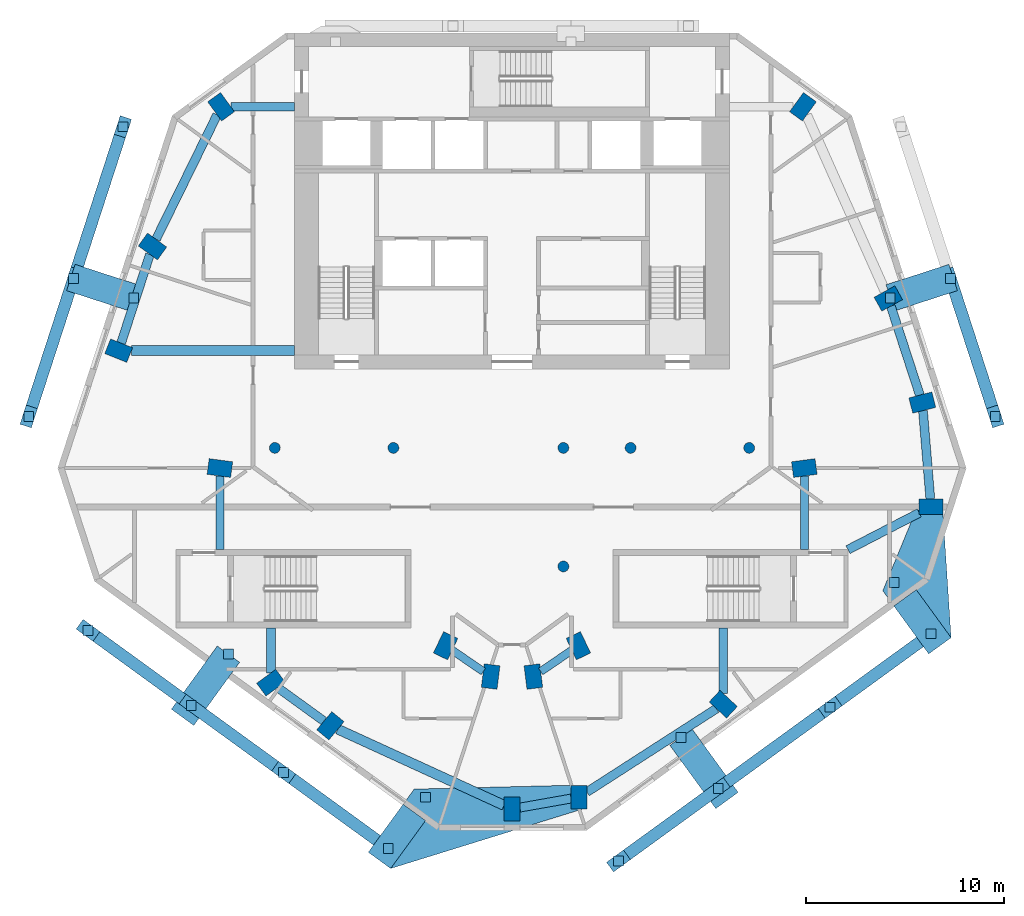
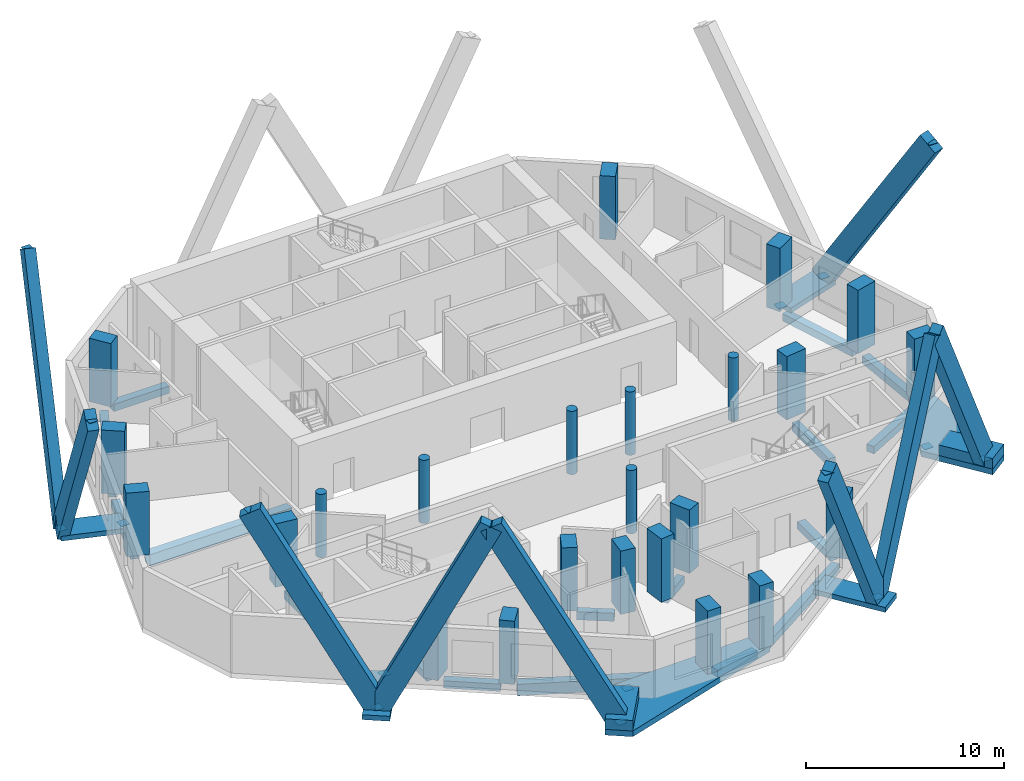
# One storey, part 1 of 8: 24 columns, 19 discrete accessories, 17 beams, 17 members.
"""IFC4 building model written with IfcOpenShell, lengths in metres."""

import ifcopenshell
import ifcopenshell.guid

model = None  # the IFC model being written
_history = None  # IfcOwnerHistory: only IFC2X3 demands one
_inside = {}  # id of a spatial element -> (the spatial element, [elements in it])
_under = {}  # id of a project, library or spatial element -> (it, [spatial elements below it])
_declared = {}  # id of a project -> (the project, [libraries it declares])
_typed = {}  # id of a type object -> (the type object, [elements of that type])
_made_of = {}  # id of a material, layer set ... -> (it, [elements and type objects made of it])


def new_model(schema):
    """Start an empty IFC model of exactly this schema.

    Asked for "IFC4X3", IfcOpenShell would pick the latest addendum, in which some entities
    have other attributes; the version numbers below select the first issue.
    IFC2X3 requires an IfcOwnerHistory on every rooted entity: one is made here for all.
    """
    global model, _history
    if schema == "IFC4X3":
        model = ifcopenshell.file(schema_version=(4, 3, 0, 0))
    else:
        model = ifcopenshell.file(schema=schema)
    _inside.clear()
    _under.clear()
    _declared.clear()
    _typed.clear()
    _made_of.clear()
    _history = None
    if model.schema == "IFC2X3":
        org = make("IfcOrganization", Name="unknown")
        user = make(
            "IfcPersonAndOrganization",
            ThePerson=make("IfcPerson", FamilyName="unknown"),
            TheOrganization=org,
        )
        app = make(
            "IfcApplication",
            ApplicationDeveloper=org,
            Version="unknown",
            ApplicationFullName="unknown",
            ApplicationIdentifier="unknown",
        )
        _history = make(
            "IfcOwnerHistory",
            OwningUser=user,
            OwningApplication=app,
            ChangeAction="ADDED",
            CreationDate=0,
        )
    return model


def make(cls, **values):
    """One entity of the class cls with the attributes given. An attribute that is None is left unset."""
    return model.create_entity(
        cls, **{name: value for name, value in values.items() if value is not None}
    )


def rooted(cls, **values):
    """An entity with a GlobalId (a new one), such as an element, a storey or a relation."""
    return make(cls, GlobalId=ifcopenshell.guid.new(), OwnerHistory=_history, **values)


def si_unit(unit_type, name, prefix=None):
    """IfcSIUnit, for example si_unit("LENGTHUNIT", "METRE", prefix="MILLI")."""
    return make("IfcSIUnit", UnitType=unit_type, Prefix=prefix, Name=name)


def assignment(units):
    """IfcUnitAssignment: the units of a project."""
    return None if units is None else make("IfcUnitAssignment", Units=units)


def point(xyz):
    """IfcCartesianPoint."""
    return None if xyz is None else make("IfcCartesianPoint", Coordinates=xyz)


def direction(xyz):
    """IfcDirection."""
    return None if xyz is None else make("IfcDirection", DirectionRatios=xyz)


def frame(location, z_axis=None, x_axis=None):
    """IfcAxis2Placement3D, a coordinate frame: its origin and axes. An axis left out is left unset."""
    return make(
        "IfcAxis2Placement3D",
        Location=point(location),
        Axis=direction(z_axis),
        RefDirection=direction(x_axis),
    )


def frame_2d(location, x_axis=None):
    """IfcAxis2Placement2D, a coordinate frame in the plane: its origin and x axis."""
    return make(
        "IfcAxis2Placement2D", Location=point(location), RefDirection=direction(x_axis)
    )


def origin():
    """The frame at (0, 0, 0) with its axes left unset."""
    return frame((0.0, 0.0, 0.0))


def origin_2d():
    """The frame at (0, 0) in the plane with its x axis left unset."""
    return frame_2d((0.0, 0.0))


def place(relative_to, where):
    """IfcLocalPlacement: puts the frame where relative to a parent placement (None: the world)."""
    return make(
        "IfcLocalPlacement", PlacementRelTo=relative_to, RelativePlacement=where
    )


def context(
    kind, dimensions, precision=None, world=None, true_north=None, identifier=None
):
    """IfcGeometricRepresentationContext, for example the 3D "Model" context."""
    return make(
        "IfcGeometricRepresentationContext",
        ContextIdentifier=identifier,
        ContextType=kind,
        CoordinateSpaceDimension=dimensions,
        Precision=precision,
        WorldCoordinateSystem=world,
        TrueNorth=true_north,
    )


def subcontext(parent, identifier, kind, view, scale=None):
    """IfcGeometricRepresentationSubContext, for example "Body" below "Model"."""
    return make(
        "IfcGeometricRepresentationSubContext",
        ContextIdentifier=identifier,
        ContextType=kind,
        ParentContext=parent,
        TargetScale=scale,
        TargetView=view,
    )


def project(units=None, contexts=None):
    """IfcProject with its units and contexts."""
    return rooted(
        "IfcProject",
        Name="project",
        RepresentationContexts=contexts,
        UnitsInContext=assignment(units),
    )


def spatial(cls, under=None, at=None, **own):
    """A site, building, storey or space (cls), placed at a placement, below another one or the project."""
    s = rooted(cls, ObjectPlacement=at, **own)
    if under is not None:
        _under.setdefault(under.id(), (under, []))[1].append(s)
    return s


def polyline(points):
    """IfcPolyline through the points."""
    return make("IfcPolyline", Points=[point(p) for p in points])


def profile(cls, at=None, kind="AREA", **sizes):
    """A parametric profile (cls). Its sizes go by their IFC names, for example OverallWidth=200.0."""
    return make(cls, ProfileType=kind, Position=at, **sizes)


def rectangle(**sizes):
    """IfcRectangleProfileDef."""
    return profile("IfcRectangleProfileDef", **sizes)


def circle(**sizes):
    """IfcCircleProfileDef."""
    return profile("IfcCircleProfileDef", **sizes)


def outline(outer, holes=None, kind="AREA"):
    """IfcArbitraryClosedProfileDef: a profile drawn as a closed curve; with holes, ...WithVoids."""
    if holes is None:
        return make("IfcArbitraryClosedProfileDef", ProfileType=kind, OuterCurve=outer)
    return make(
        "IfcArbitraryProfileDefWithVoids",
        ProfileType=kind,
        OuterCurve=outer,
        InnerCurves=holes,
    )


def extrude(swept, where, along, depth):
    """IfcExtrudedAreaSolid: the profile swept, set in the frame where, extruded along a direction by depth."""
    return make(
        "IfcExtrudedAreaSolid",
        SweptArea=swept,
        Position=where,
        ExtrudedDirection=direction(along),
        Depth=depth,
    )


def shape(context_of_items, identifier, shape_type, items):
    """IfcShapeRepresentation: the items that make up one representation, for example the "Body"."""
    return make(
        "IfcShapeRepresentation",
        ContextOfItems=context_of_items,
        RepresentationIdentifier=identifier,
        RepresentationType=shape_type,
        Items=items,
    )


def material(Name=None, Category=None):
    """IfcMaterial."""
    return make("IfcMaterial", Name=Name, Category=Category)


def layer(
    of_material, thickness, ventilated=None, Name=None, Category=None, Priority=None
):
    """IfcMaterialLayer: one layer of a wall or slab, of a material (None: an air gap)."""
    return make(
        "IfcMaterialLayer",
        Material=of_material,
        LayerThickness=thickness,
        IsVentilated=ventilated,
        Name=Name,
        Category=Category,
        Priority=Priority,
    )


def layer_set(layers, Name=None):
    """IfcMaterialLayerSet."""
    return make("IfcMaterialLayerSet", MaterialLayers=layers, LayerSetName=Name)


def material_profile(
    of_material, cross_section, Name=None, Category=None, Priority=None
):
    """IfcMaterialProfile: a cross section and its material."""
    return make(
        "IfcMaterialProfile",
        Name=Name,
        Material=of_material,
        Profile=cross_section,
        Priority=Priority,
        Category=Category,
    )


def profile_set(profiles, Name=None, composite=None):
    """IfcMaterialProfileSet."""
    return make(
        "IfcMaterialProfileSet",
        Name=Name,
        MaterialProfiles=profiles,
        CompositeProfile=composite,
    )


def made_of(thing, what):
    """Note that an element or type object is made of a material, layer set ...; save() writes the relation."""
    if what is not None:
        _made_of.setdefault(what.id(), (what, []))[1].append(thing)
    return thing


def type_object(cls, material=None, **own):
    """A type object (cls), such as IfcWallType, which elements share."""
    return made_of(rooted(cls, **own), material)


def element(
    cls,
    number,
    at=None,
    inside=None,
    cuts=None,
    type_object=None,
    material=None,
    context=None,
    identifier="Body",
    shape_type=None,
    held_by="IfcProductDefinitionShape",
    body=None,
    shapes=None,
    **own,
):
    """One element of the class cls, such as IfcWall. Its Tag is "e" and its number.

    at: its placement. inside: the storey or other place that contains it. cuts: it is an
    opening in that element (IfcRelVoidsElement). A single representation is given by context,
    identifier, shape_type and body (its items); several are given by shapes. held_by: the class
    of the entity that holds the representations. save() writes the other relations.
    """
    e = rooted(cls, Tag="e%d" % number, ObjectPlacement=at, **own)
    if body is not None:
        shapes = [shape(context, identifier, shape_type, body)]
    if shapes is not None:
        e.Representation = make(held_by, Representations=shapes)
    if inside is not None:
        _inside.setdefault(inside.id(), (inside, []))[1].append(e)
    if cuts is not None:
        rooted(
            "IfcRelVoidsElement", RelatingBuildingElement=cuts, RelatedOpeningElement=e
        )
    if type_object is not None:
        _typed.setdefault(type_object.id(), (type_object, []))[1].append(e)
    return made_of(e, material)


def aggregate(whole, parts):
    """IfcRelAggregates: a whole, such as a stair, and the parts it consists of."""
    return rooted("IfcRelAggregates", RelatingObject=whole, RelatedObjects=parts)


def save(model, path):
    """Write the relations noted so far, then the file.

    IfcRelAggregates (storeys below a building ...), IfcRelContainedInSpatialStructure (elements
    in a storey), IfcRelDefinesByType, IfcRelAssociatesMaterial and IfcRelDeclares: one each for
    every whole, place, type object, material and project.
    """
    for whole, parts in _under.values():
        aggregate(whole, parts)
    for where, things in _inside.values():
        rooted(
            "IfcRelContainedInSpatialStructure",
            RelatedElements=things,
            RelatingStructure=where,
        )
    for kind, things in _typed.values():
        rooted("IfcRelDefinesByType", RelatedObjects=things, RelatingType=kind)
    for what, things in _made_of.values():
        rooted("IfcRelAssociatesMaterial", RelatedObjects=things, RelatingMaterial=what)
    for by, libraries in _declared.values():
        rooted("IfcRelDeclares", RelatingContext=by, RelatedDefinitions=libraries)
    model.write(path)


model = new_model("IFC4")

# Units and contexts
model_context = context("Model", 3, precision=1e-05, world=origin(), true_north=direction((0.0, 1.0)))
body_context = subcontext(model_context, "Body", "Model", "MODEL_VIEW")
ifc_project = project(units=[si_unit("LENGTHUNIT", "METRE"), si_unit("AREAUNIT", "SQUARE_METRE"), si_unit("VOLUMEUNIT", "CUBIC_METRE"), si_unit("PLANEANGLEUNIT", "RADIAN"), si_unit("MASSUNIT", "GRAM", prefix="KILO")], contexts=[model_context])

# Site, building, storey
site_placement = place(None, origin())
site = spatial("IfcSite", under=ifc_project, at=site_placement, CompositionType="ELEMENT")
building_placement = place(site_placement, origin())
building = spatial("IfcBuilding", under=site, at=building_placement, Name="White Candle Pilgrim Tower", CompositionType="ELEMENT")
storey_placement = place(building_placement, frame((0.0, 0.0, 283.39990234375)))
storey = spatial("IfcBuildingStorey", under=building, at=storey_placement, Name="L67", CompositionType="ELEMENT", Elevation=283.39990234375)

# Columns
ifc_material_1 = material(Name="Concrete C60/75", Category="concrete")
ifc_material_profile_1 = material_profile(ifc_material_1, circle(Radius=0.27490234375, at=origin_2d()), Name="RC-COL D550")
ifc_profile_set_1 = profile_set([ifc_material_profile_1], Name="Concrete C60/75")
column_type_1 = type_object("IfcColumnType", Name="Interior column RC-COL D550 C60/75", PredefinedType="COLUMN", material=ifc_profile_set_1)
for number, where, z_axis, x_axis, name in (
    (1, (58.0, 67.0, 0.0), (0.0, 0.0, 1.0), (1.0, 0.0, 0.0), "L67 column I01"),
    (2, (64.0, 67.0, 0.0), (0.0, 0.0, 1.0), (1.0, 0.0, 0.0), "L67 column I02"),
    (3, (72.60009765625, 61.0, 0.0), (0.0, 0.0, 1.0), (1.0, 0.0, 0.0), "L67 column I03"),
    (4, (72.60009765625, 67.0, 0.0), (0.0, 0.0, 1.0), (1.0, 0.0, 0.0), "L67 column I04"),
    (5, (76.0, 67.0, 0.0), (0.0, 0.0, 1.0), (1.0, 0.0, 0.0), "L67 column I05"),
    (6, (82.0, 67.0, 0.0), (0.0, 0.0, 1.0), (1.0, 0.0, 0.0), "L67 column I06"),
):
    element("IfcColumn", number, at=place(storey_placement, frame(where, z_axis=z_axis, x_axis=x_axis)), inside=storey, type_object=column_type_1, Name=name, PredefinedType="COLUMN", context=body_context, shape_type="SweptSolid", body=[
        extrude(circle(Radius=0.27490234375, at=origin_2d()), origin(), (0.0, 0.0, 1.0), 3.900146484375),
    ])
ifc_material_profile_2 = material_profile(ifc_material_1, rectangle(XDim=0.800048828125, YDim=1.199951171875, at=origin_2d()), Name="RC-PR 800x1200")
ifc_profile_set_2 = profile_set([ifc_material_profile_2], Name="Concrete C60/75")
column_type_2 = type_object("IfcColumnType", Name="Perimeter column RC-PR 800x1200 C60/75", PredefinedType="COLUMN", material=ifc_profile_set_2)
for number, where, z_axis, x_axis, name in (
    (7, (57.800048828125, 55.1201171875, 0.0), (0.0, 0.0, 1.0), (-0.58846280644, 0.808524288711, 0.0), "L67 column T01"),
    (8, (60.81005859375, 52.93994140625, 0.0), (0.0, 0.0, 1.0), (-0.769310358735, 0.638875239733, 0.0), "L67 column T02"),
    (9, (70.0, 48.72998046875, 0.0), (0.0, 0.0, 1.0), (-1.0, 0.0, 0.0), "L67 column T03"),
    (10, (73.389892578125, 49.330078125, 0.0), (0.0, 0.0, 1.0), (-1.0, 0.0, 0.0), "L67 column T04"),
    (11, (80.68994140625, 54.030029296875, 0.0), (0.0, 0.0, 1.0), (-0.681998360062, -0.731353701619, 0.0), "L67 column T05"),
    (12, (91.199951171875, 64.02001953125, 0.0), (0.0, 0.0, 1.0), (0.000855211229, -0.999999634307, 0.0), "L67 column T06"),
    (13, (90.760009765625, 69.2900390625, 0.0), (0.0, 0.0, 1.0), (0.246880623275, -0.969045900797, 0.0), "L67 column T07"),
    (14, (89.0400390625, 74.56005859375, 0.0), (0.0, 0.0, 1.0), (0.484809620246, -0.874619707139, 0.0), "L67 column T08"),
    (15, (84.719970703125, 84.260009765625, 0.0), (0.0, 0.0, 1.0), (0.80902725304, -0.587771132193, 0.0), "L67 column T09"),
    (16, (55.280029296875, 84.260009765625, 0.0), (0.0, 0.0, 1.0), (0.80902725304, 0.587771132193, 0.0), "L67 column T10"),
    (17, (51.81005859375, 77.18994140625, 0.0), (0.0, 0.0, 1.0), (0.587107285614, 0.809509132239, 0.0), "L67 column T11"),
    (18, (50.10009765625, 71.919921875, 0.0), (0.0, 0.0, 1.0), (0.369860269472, 0.929087391512, 0.0), "L67 column T12"),
):
    element("IfcColumn", number, at=place(storey_placement, frame(where, z_axis=z_axis, x_axis=x_axis)), inside=storey, type_object=column_type_2, Name=name, PredefinedType="COLUMN", context=body_context, shape_type="SweptSolid", body=[
        extrude(rectangle(XDim=0.800048828125, YDim=1.199951171875, at=origin_2d()), origin(), (0.0, 0.0, 1.0), 3.900146484375),
    ])
ifc_material_profile_3 = material_profile(ifc_material_1, rectangle(XDim=0.800048828125, YDim=1.199951171875, at=origin_2d()), Name="RC-PR 800x1200")
ifc_profile_set_3 = profile_set([ifc_material_profile_3], Name="Concrete C60/75")
column_type_3 = type_object("IfcColumnType", Name="Ring column RC-PR 800x1200 C60/75", PredefinedType="COLUMN", material=ifc_profile_set_3)
for number, where, z_axis, x_axis, name in (
    (19, (66.639892578125, 56.989990234375, 0.0), (0.0, 0.0, 1.0), (-0.901689191761, 0.43238478403, 0.0), "L67 column R01"),
    (20, (68.919921875, 55.429931640625, 0.0), (0.0, 0.0, 1.0), (-0.992092811428, 0.125506388335, 0.0), "L67 column R02"),
    (21, (71.080078125, 55.429931640625, 0.0), (0.0, 0.0, 1.0), (-0.992092811428, -0.125506388335, 0.0), "L67 column R03"),
    (22, (73.360107421875, 56.989990234375, 0.0), (0.0, 0.0, 1.0), (-0.901689191761, -0.43238478403, 0.0), "L67 column R04"),
    (23, (84.7900390625, 65.97998046875, 0.0), (0.0, 0.0, 1.0), (0.132602381688, -0.991169313675, 0.0), "L67 column R05"),
    (24, (55.219970703125, 65.97998046875, 0.0), (0.0, 0.0, 1.0), (0.132602381688, 0.991169313675, 0.0), "L67 column R06"),
):
    element("IfcColumn", number, at=place(storey_placement, frame(where, z_axis=z_axis, x_axis=x_axis)), inside=storey, type_object=column_type_3, Name=name, PredefinedType="COLUMN", context=body_context, shape_type="SweptSolid", body=[
        extrude(rectangle(XDim=0.800048828125, YDim=1.199951171875, at=origin_2d()), origin(), (0.0, 0.0, 1.0), 3.900146484375),
    ])

# Member
ifc_material_2 = material(Name="Concrete C60/75, white", Category="concrete")
ifc_material_profile_4 = material_profile(ifc_material_2, rectangle(XDim=0.60009765625, YDim=1.199951171875, at=origin_2d()), Name="RC-DG 600x1200")
ifc_profile_set_4 = profile_set([ifc_material_profile_4], Name="Concrete C60/75, white")
member_type_1 = type_object("IfcMemberType", Name="Exoskeleton diagonal RC-DG 600x1200 C60/75", PredefinedType="BRACE", material=ifc_profile_set_4)
member_1_placement = place(storey_placement, frame((92.180908203125, 75.57763671875, 0.0), z_axis=(0.164325975108, -0.505754318485, 0.846882248745), x_axis=(0.951058486182, 0.309010931621, 0.0)))
member_1 = element("IfcMember", 25, at=member_1_placement, inside=storey, type_object=member_type_1, Name="Exoskeleton diagonal EX259", PredefinedType="BRACE", context=body_context, shape_type="SweptSolid", body=[
    extrude(rectangle(XDim=0.60009765625, YDim=1.199951171875, at=origin_2d()), origin(), (0.0, 0.0, 1.0), 13.815673828125),
])

member_2_placement = place(storey_placement, frame((80.4365234375, 49.767578125, 0.0), z_axis=(-0.380668838591, -0.276585600644, 0.882378400031), x_axis=(0.587804030698, -0.809003350731, 0.0)))
member_2 = element("IfcMember", 26, at=member_2_placement, inside=storey, type_object=member_type_1, Name="Exoskeleton diagonal EX270", PredefinedType="BRACE", context=body_context, shape_type="SweptSolid", body=[
    extrude(rectangle(XDim=0.60009765625, YDim=1.199951171875, at=origin_2d()), origin(), (0.0, 0.0, 1.0), 13.259765625),
])

member_3_placement = place(storey_placement, frame((80.4365234375, 49.767578125, 0.0), z_axis=(0.415185494311, 0.301642120549, 0.858273287726), x_axis=(-0.587775306847, 0.80902422007, 0.0)))
member_3 = element("IfcMember", 27, at=member_3_placement, inside=storey, type_object=member_type_1, Name="Exoskeleton diagonal EX271", PredefinedType="BRACE", context=body_context, shape_type="SweptSolid", body=[
    extrude(rectangle(XDim=0.60009765625, YDim=1.199951171875, at=origin_2d()), origin(), (0.0, 0.0, 1.0), 13.63232421875),
])

member_4_placement = place(storey_placement, frame((91.209228515625, 57.59423828125, 0.0), z_axis=(-0.384481961926, -0.279337840259, 0.879854528858), x_axis=(0.587778839539, -0.809021653475, 0.0)))
member_4 = element("IfcMember", 28, at=member_4_placement, inside=storey, type_object=member_type_1, Name="Exoskeleton diagonal EX272", PredefinedType="BRACE", context=body_context, shape_type="SweptSolid", body=[
    extrude(rectangle(XDim=0.60009765625, YDim=1.199951171875, at=origin_2d()), origin(), (0.0, 0.0, 1.0), 13.2978515625),
])

member_5_placement = place(storey_placement, frame((53.772705078125, 53.974853515625, 0.0), z_axis=(-0.39084656182, 0.283949762249, 0.875563531466), x_axis=(-0.587762373751, -0.809033616114, 0.0)))
member_5 = element("IfcMember", 29, at=member_5_placement, inside=storey, type_object=member_type_1, Name="Exoskeleton diagonal EX282", PredefinedType="BRACE", context=body_context, shape_type="SweptSolid", body=[
    extrude(rectangle(XDim=0.60009765625, YDim=1.199951171875, at=origin_2d()), origin(), (0.0, 0.0, 1.0), 13.363037109375),
])

member_6_placement = place(storey_placement, frame((53.772705078125, 53.974853515625, 0.0), z_axis=(0.358285228035, -0.260327865287, 0.89658301229), x_axis=(0.587812459316, 0.808997226616, 0.0)))
member_6 = element("IfcMember", 30, at=member_6_placement, inside=storey, type_object=member_type_1, Name="Exoskeleton diagonal EX283", PredefinedType="BRACE", context=body_context, shape_type="SweptSolid", body=[
    extrude(rectangle(XDim=0.60009765625, YDim=1.199951171875, at=origin_2d()), origin(), (0.0, 0.0, 1.0), 13.0498046875),
])

member_7_placement = place(storey_placement, frame((63.736328125, 46.735595703125, 0.0), z_axis=(-0.394567688921, 0.286671824587, 0.873003782264), x_axis=(-0.587787424185, -0.809015416398, 0.0)))
member_7 = element("IfcMember", 31, at=member_7_placement, inside=storey, type_object=member_type_1, Name="Exoskeleton diagonal EX284", PredefinedType="BRACE", context=body_context, shape_type="SweptSolid", body=[
    extrude(rectangle(XDim=0.60009765625, YDim=1.199951171875, at=origin_2d()), origin(), (0.0, 0.0, 1.0), 13.40234375),
])

member_8_placement = place(storey_placement, frame((47.819091796875, 75.57763671875, 0.0), z_axis=(0.175355122133, 0.539673171292, 0.823409648552), x_axis=(-0.951054092785, 0.309024453071, 0.0)))
member_8 = element("IfcMember", 32, at=member_8_placement, inside=storey, type_object=member_type_1, Name="Exoskeleton diagonal EX291", PredefinedType="BRACE", context=body_context, shape_type="SweptSolid", body=[
    extrude(rectangle(XDim=0.60009765625, YDim=1.199951171875, at=origin_2d()), origin(), (0.0, 0.0, 1.0), 14.20947265625),
])

member_9_placement = place(storey_placement, frame((47.819091796875, 75.57763671875, 0.0), z_axis=(-0.164325975108, -0.505754318485, 0.846882248745), x_axis=(0.951058486182, -0.309010931621, 0.0)))
member_9 = element("IfcMember", 33, at=member_9_placement, inside=storey, type_object=member_type_1, Name="Exoskeleton diagonal EX292", PredefinedType="BRACE", context=body_context, shape_type="SweptSolid", body=[
    extrude(rectangle(XDim=0.60009765625, YDim=1.199951171875, at=origin_2d()), origin(), (0.0, 0.0, 1.0), 13.815673828125),
])

ifc_material_3 = material(Name="Concrete C70/85, white", Category="concrete")
ifc_layer_1 = layer(ifc_material_3, 0.300048828125)
ifc_layer_set_1 = layer_set([ifc_layer_1], Name="Node tie strut 3350x1400x300 C70/85")
member_type_2 = type_object("IfcMemberType", Name="Node tie strut 3350x1400x300 C70/85", PredefinedType="STRUT", material=ifc_layer_set_1)
member_10_placement = place(storey_placement, frame((90.730712890625, 75.106201171875, -0.2998046875), z_axis=(0.0, 0.0, 1.0), x_axis=(-0.309016994375, 0.951056516295, 0.0)))
member_10 = element("IfcMember", 34, at=member_10_placement, inside=storey, type_object=member_type_2, Name="Node tie strut NC231", PredefinedType="STRUT", context=body_context, shape_type="SweptSolid", body=[
    extrude(rectangle(XDim=1.39990234375, YDim=3.35009765625, at=origin_2d()), origin(), (0.0, 0.0, 1.0), 0.300048828125),
])

member_11_placement = place(storey_placement, frame((49.269287109375, 75.106201171875, -0.2998046875), z_axis=(0.0, 0.0, 1.0), x_axis=(-0.309016994375, -0.951056516295, 0.0)))
member_11 = element("IfcMember", 35, at=member_11_placement, inside=storey, type_object=member_type_2, Name="Node tie strut NC238", PredefinedType="STRUT", context=body_context, shape_type="SweptSolid", body=[
    extrude(rectangle(XDim=1.39990234375, YDim=3.35009765625, at=origin_2d()), origin(), (0.0, 0.0, 1.0), 0.300048828125),
])

ifc_layer_2 = layer(ifc_material_3, 0.300048828125)
ifc_layer_set_2 = layer_set([ifc_layer_2], Name="Node tie strut 3950x1400x300 C70/85")
member_type_3 = type_object("IfcMemberType", Name="Node tie strut 3950x1400x300 C70/85", PredefinedType="STRUT", material=ifc_layer_set_2)
member_12_placement = place(storey_placement, frame((79.716552734375, 50.758544921875, -0.2998046875), z_axis=(0.0, 0.0, 1.0), x_axis=(0.809016994375, 0.587785252292, 0.0)))
member_12 = element("IfcMember", 36, at=member_12_placement, inside=storey, type_object=member_type_3, Name="Node tie strut NC234", PredefinedType="STRUT", context=body_context, shape_type="SweptSolid", body=[
    extrude(rectangle(XDim=1.39990234375, YDim=3.949951171875, at=origin_2d()), origin(), (0.0, 0.0, 1.0), 0.300048828125),
])

member_13_placement = place(storey_placement, frame((0.0, 0.0, -0.349853515625)))
member_13 = element("IfcMember", 37, at=member_13_placement, inside=storey, type_object=member_type_3, Name="Node tie strut NC235", PredefinedType="STRUT", context=body_context, shape_type="SweptSolid", body=[
    extrude(outline(polyline([(91.083740234375, 56.576171875), (92.21630859375, 57.39892578125), (91.80029296875, 63.771484375), (91.80029296875, 63.62060546875), (90.600341796875, 63.619384765625), (90.599853515625, 64.22900390625), (88.761962890625, 59.771728515625), (91.083740234375, 56.576171875)])), origin(), (0.0, 0.0, 1.0), 0.349853515625),
])

member_14_placement = place(storey_placement, origin())
element("IfcMember", 38, at=member_14_placement, inside=storey, type_object=member_type_3, Name="Node tie strut NC235", PredefinedType="STRUT", context=body_context, shape_type="SweptSolid", body=[
    extrude(outline(polyline([(91.083740234375, 56.576171875), (92.21630859375, 57.39892578125), (90.453125, 59.826171875), (89.3203125, 59.003173828125), (91.083740234375, 56.576171875)])), origin(), (0.0, 0.0, 1.0), 0.650146484375),
])

member_15_placement = place(storey_placement, frame((54.49267578125, 54.9658203125, -0.2998046875), z_axis=(0.0, 0.0, 1.0), x_axis=(0.809016994375, -0.587785252292, 0.0)))
member_15 = element("IfcMember", 39, at=member_15_placement, inside=storey, type_object=member_type_3, Name="Node tie strut NC236", PredefinedType="STRUT", context=body_context, shape_type="SweptSolid", body=[
    extrude(rectangle(XDim=1.39990234375, YDim=3.949951171875, at=origin_2d()), origin(), (0.0, 0.0, 1.0), 0.300048828125),
])

member_16_placement = place(storey_placement, frame((0.0, 0.0, -0.349853515625)))
member_16 = element("IfcMember", 40, at=member_16_placement, inside=storey, type_object=member_type_3, Name="Node tie strut NC237", PredefinedType="STRUT", context=body_context, shape_type="SweptSolid", body=[
    extrude(outline(polyline([(63.86181640625, 45.717529296875), (73.583251953125, 48.72998046875), (72.989990234375, 48.72998046875), (72.989990234375, 49.929931640625), (65.05078125, 49.736083984375), (62.72900390625, 46.540283203125), (63.86181640625, 45.717529296875)])), origin(), (0.0, 0.0, 1.0), 0.349853515625),
])

member_17_placement = place(storey_placement, origin())
element("IfcMember", 41, at=member_17_placement, inside=storey, type_object=member_type_3, Name="Node tie strut NC237", PredefinedType="STRUT", context=body_context, shape_type="SweptSolid", body=[
    extrude(outline(polyline([(63.86181640625, 45.717529296875), (65.625, 48.14453125), (64.492431640625, 48.967529296875), (62.72900390625, 46.540283203125), (63.86181640625, 45.717529296875)])), origin(), (0.0, 0.0, 1.0), 0.650146484375),
])

# Beams
ifc_material_4 = material(Name="Concrete C50/60", Category="concrete")
ifc_material_profile_5 = material_profile(ifc_material_4, rectangle(XDim=0.39990234375, YDim=0.5, at=origin_2d()), Name="RC-BM 400x500")
ifc_profile_set_5 = profile_set([ifc_material_profile_5], Name="Concrete C50/60")
beam_type_1 = type_object("IfcBeamType", Name="Ring beam RC-BM 400x500 C50/60", PredefinedType="BEAM", material=ifc_profile_set_5)
for number, where, z_axis, x_axis, name in (
    (42, (66.97412109375, 56.761474609375, -0.5498046875), (0.825257044892, -0.564757301729, 0.0), (0.564757301729, 0.825257044892, 0.0), "L67 ring beam R01"),
    (43, (71.451171875, 55.683837890625, -0.5498046875), (0.825257044892, 0.564757301729, 0.0), (-0.564757301729, 0.825257044892, 0.0), "L67 ring beam R02"),
):
    element("IfcBeam", number, at=place(storey_placement, frame(where, z_axis=z_axis, x_axis=x_axis)), inside=storey, type_object=beam_type_1, Name=name, PredefinedType="BEAM", context=body_context, shape_type="SweptSolid", body=[
        extrude(rectangle(XDim=0.39990234375, YDim=0.5, at=origin_2d()), origin(), (0.0, 0.0, 1.0), 1.908203125),
    ])
for number, where, z_axis, x_axis, name in (
    (44, (84.7900390625, 65.576416015625, -0.5498046875), (0.0, -1.0, 0.0), (1.0, 0.0, 0.0), "L67 ring beam R03"),
    (45, (55.219970703125, 65.576416015625, -0.5498046875), (0.0, -1.0, 0.0), (1.0, 0.0, 0.0), "L67 ring beam R04"),
):
    element("IfcBeam", number, at=place(storey_placement, frame(where, z_axis=z_axis, x_axis=x_axis)), inside=storey, type_object=beam_type_1, Name=name, PredefinedType="BEAM", context=body_context, shape_type="SweptSolid", body=[
        extrude(rectangle(XDim=0.39990234375, YDim=0.5, at=origin_2d()), origin(), (0.0, 0.0, 1.0), 3.726318359375),
    ])
ifc_material_profile_6 = material_profile(ifc_material_4, rectangle(XDim=0.449951171875, YDim=0.449951171875, at=origin_2d()), Name="RC-BM 450x450")
ifc_profile_set_6 = profile_set([ifc_material_profile_6], Name="Concrete C50/60")
beam_type_2 = type_object("IfcBeamType", Name="Spandrel beam RC-BM 450x450 C50/60", PredefinedType="BEAM", material=ifc_profile_set_6)
beam_1_placement = place(storey_placement, frame((58.140625, 54.873291015625, -0.52490234375), z_axis=(0.809886863982, -0.586586112647, 0.0), x_axis=(0.586586112647, 0.809886863982, 0.0)))
element("IfcBeam", 46, at=beam_1_placement, inside=storey, type_object=beam_type_2, Name="L67 spandrel beam T01", PredefinedType="BEAM", context=body_context, shape_type="SweptSolid", body=[
    extrude(rectangle(XDim=0.449951171875, YDim=0.449951171875, at=origin_2d()), origin(), (0.0, 0.0, 1.0), 2.89501953125),
])
beam_2_placement = place(storey_placement, frame((70.39990234375, 48.80078125, -0.52490234375), z_axis=(0.984690914207, 0.174309504843, 0.0), x_axis=(-0.174309504843, 0.984690914207, 0.0)))
element("IfcBeam", 47, at=beam_2_placement, inside=storey, type_object=beam_type_2, Name="L67 spandrel beam T03", PredefinedType="BEAM", context=body_context, shape_type="SweptSolid", body=[
    extrude(rectangle(XDim=0.449951171875, YDim=0.449951171875, at=origin_2d()), origin(), (0.0, 0.0, 1.0), 2.63037109375),
])
beam_3_placement = place(storey_placement, frame((73.7900390625, 49.58740234375, -0.52490234375), z_axis=(0.840792523654, 0.541357490175, 0.0), x_axis=(-0.541357490175, 0.840792523654, 0.0)))
element("IfcBeam", 48, at=beam_3_placement, inside=storey, type_object=beam_type_2, Name="L67 spandrel beam T04", PredefinedType="BEAM", context=body_context, shape_type="SweptSolid", body=[
    extrude(rectangle(XDim=0.449951171875, YDim=0.449951171875, at=origin_2d()), origin(), (0.0, 0.0, 1.0), 7.793701171875),
])
beam_4_placement = place(storey_placement, frame((80.68994140625, 54.576904296875, -0.52490234375), z_axis=(0.0, 1.0, 0.0), x_axis=(-1.0, 0.0, 0.0)))
element("IfcBeam", 49, at=beam_4_placement, inside=storey, type_object=beam_type_2, Name="L67 spandrel beam T05", PredefinedType="BEAM", context=body_context, shape_type="SweptSolid", body=[
    extrude(rectangle(XDim=0.449951171875, YDim=0.449951171875, at=origin_2d()), origin(), (0.0, 0.0, 1.0), 3.322998046875),
])
beam_5_placement = place(storey_placement, frame((90.600341796875, 63.710205078125, -0.52490234375), z_axis=(-0.888432867753, -0.459006578925, 0.0), x_axis=(0.459006578925, -0.888432867753, 0.0)))
element("IfcBeam", 50, at=beam_5_placement, inside=storey, type_object=beam_type_2, Name="L67 spandrel beam T06", PredefinedType="BEAM", context=body_context, shape_type="SweptSolid", body=[
    extrude(rectangle(XDim=0.449951171875, YDim=0.449951171875, at=origin_2d()), origin(), (0.0, 0.0, 1.0), 4.052490234375),
])
beam_6_placement = place(storey_placement, frame((91.16650390625, 64.419921875, -0.52490234375), z_axis=(-0.083189754962, 0.996533724803, 0.0), x_axis=(-0.996533724803, -0.083189754962, 0.0)))
element("IfcBeam", 51, at=beam_6_placement, inside=storey, type_object=beam_type_2, Name="L67 spandrel beam T07", PredefinedType="BEAM", context=body_context, shape_type="SweptSolid", body=[
    extrude(rectangle(XDim=0.449951171875, YDim=0.449951171875, at=origin_2d()), origin(), (0.0, 0.0, 1.0), 4.4814453125),
])
beam_7_placement = place(storey_placement, frame((90.635498046875, 69.671142578125, -0.52490234375), z_axis=(-0.310235376741, 0.950659776691, 0.0), x_axis=(-0.950659776691, -0.310235376741, 0.0)))
element("IfcBeam", 52, at=beam_7_placement, inside=storey, type_object=beam_type_2, Name="L67 spandrel beam T08", PredefinedType="BEAM", context=body_context, shape_type="SweptSolid", body=[
    extrude(rectangle(XDim=0.449951171875, YDim=0.449951171875, at=origin_2d()), origin(), (0.0, 0.0, 1.0), 4.735107421875),
])
beam_8_placement = place(storey_placement, frame((55.7744140625, 84.260009765625, -0.52490234375), z_axis=(1.0, 0.0, 0.0), x_axis=(0.0, 1.0, 0.0)))
element("IfcBeam", 53, at=beam_8_placement, inside=storey, type_object=beam_type_2, Name="L67 spandrel beam T11", PredefinedType="BEAM", context=body_context, shape_type="SweptSolid", body=[
    extrude(rectangle(XDim=0.449951171875, YDim=0.449951171875, at=origin_2d()), origin(), (0.0, 0.0, 1.0), 3.2255859375),
])
beam_9_placement = place(storey_placement, frame((55.080810546875, 83.853759765625, -0.52490234375), z_axis=(-0.440604884501, -0.897701139441, 0.0), x_axis=(0.897701139441, -0.440604884501, 0.0)))
element("IfcBeam", 54, at=beam_9_placement, inside=storey, type_object=beam_type_2, Name="L67 spandrel beam T12", PredefinedType="BEAM", context=body_context, shape_type="SweptSolid", body=[
    extrude(rectangle(XDim=0.449951171875, YDim=0.449951171875, at=origin_2d()), origin(), (0.0, 0.0, 1.0), 7.01708984375),
])
beam_10_placement = place(storey_placement, frame((51.68017578125, 76.7900390625, -0.52490234375), z_axis=(-0.308643859688, -0.95117767419, 0.0), x_axis=(0.95117767419, -0.308643859688, 0.0)))
element("IfcBeam", 55, at=beam_10_placement, inside=storey, type_object=beam_type_2, Name="L67 spandrel beam T13", PredefinedType="BEAM", context=body_context, shape_type="SweptSolid", body=[
    extrude(rectangle(XDim=0.449951171875, YDim=0.449951171875, at=origin_2d()), origin(), (0.0, 0.0, 1.0), 4.71923828125),
])
beam_11_placement = place(storey_placement, frame((57.800048828125, 55.61474609375, -0.52490234375), z_axis=(0.0, 1.0, 0.0), x_axis=(-1.0, 0.0, 0.0)))
element("IfcBeam", 56, at=beam_11_placement, inside=storey, type_object=beam_type_2, Name="L67 spandrel beam T15", PredefinedType="BEAM", context=body_context, shape_type="SweptSolid", body=[
    extrude(rectangle(XDim=0.449951171875, YDim=0.449951171875, at=origin_2d()), origin(), (0.0, 0.0, 1.0), 2.28515625),
])
ifc_material_profile_7 = material_profile(ifc_material_4, rectangle(XDim=0.5, YDim=0.699951171875, at=origin_2d()), Name="RC-BM 500x700")
ifc_profile_set_7 = profile_set([ifc_material_profile_7], Name="Concrete C50/60")
beam_type_3 = type_object("IfcBeamType", Name="Spandrel beam RC-BM 500x700 C50/60", PredefinedType="BEAM", material=ifc_profile_set_7)
beam_12_placement = place(storey_placement, frame((61.186767578125, 52.767578125, -0.64990234375), z_axis=(0.90913101106, -0.416510269656, 0.0), x_axis=(0.416510269656, 0.90913101106, 0.0)))
element("IfcBeam", 57, at=beam_12_placement, inside=storey, type_object=beam_type_3, Name="L67 spandrel beam T02", PredefinedType="BEAM", context=body_context, shape_type="SweptSolid", body=[
    extrude(rectangle(XDim=0.5, YDim=0.699951171875, at=origin_2d()), origin(), (0.0, 0.0, 1.0), 9.254150390625),
])
beam_13_placement = place(storey_placement, frame((50.745849609375, 71.919921875, -0.64990234375), z_axis=(1.0, 0.0, 0.0), x_axis=(0.0, 1.0, 0.0)))
element("IfcBeam", 58, at=beam_13_placement, inside=storey, type_object=beam_type_3, Name="L67 spandrel beam T14", PredefinedType="BEAM", context=body_context, shape_type="SweptSolid", body=[
    extrude(rectangle(XDim=0.5, YDim=0.699951171875, at=origin_2d()), origin(), (0.0, 0.0, 1.0), 8.254150390625),
])

# Discrete accessory
ifc_material_5 = material(Name="Steel S355", Category="steel")
ifc_layer_3 = layer(ifc_material_5, 0.02490234375)
ifc_layer_set_3 = layer_set([ifc_layer_3], Name="Gusset plate 500x500x25 S355")
discrete_accessory_type = type_object("IfcDiscreteAccessoryType", Name="Gusset plate 500x500x25 S355", PredefinedType="BRACKET", material=ifc_layer_set_3)
discrete_accessory_1_placement = place(storey_placement, frame((92.180908203125, 75.57763671875, -0.012451171875), z_axis=(0.0, 0.0, 1.0), x_axis=(1.0, 0.0, 0.0)))
discrete_accessory_1 = element("IfcDiscreteAccessory", 59, at=discrete_accessory_1_placement, type_object=discrete_accessory_type, Name="Gusset plate 0300", PredefinedType="BRACKET", context=body_context, shape_type="SweptSolid", body=[
    extrude(rectangle(XDim=0.5, YDim=0.5, at=origin_2d()), origin(), (0.0, 0.0, 1.0), 0.02490234375),
])

placement = place(building_placement, frame((0.0, 0.0, 295.10009765625)))
discrete_accessory_2_placement = place(placement, frame((94.451171875, 68.59033203125, -0.012451171875), z_axis=(0.0, 0.0, 1.0), x_axis=(1.0, 0.0, 0.0)))
discrete_accessory_2 = element("IfcDiscreteAccessory", 60, at=discrete_accessory_2_placement, type_object=discrete_accessory_type, Name="Gusset plate 0301", PredefinedType="BRACKET", context=body_context, shape_type="SweptSolid", body=[
    extrude(rectangle(XDim=0.5, YDim=0.5, at=origin_2d()), origin(), (0.0, 0.0, 1.0), 0.02490234375),
])

aggregate(member_1, [discrete_accessory_1, discrete_accessory_2])

discrete_accessory_3_placement = place(storey_placement, frame((80.4365234375, 49.767578125, -0.012451171875), z_axis=(0.0, 0.0, 1.0), x_axis=(1.0, 0.0, 0.0)))
discrete_accessory_3 = element("IfcDiscreteAccessory", 61, at=discrete_accessory_3_placement, type_object=discrete_accessory_type, Name="Gusset plate 0315", PredefinedType="BRACKET", context=body_context, shape_type="SweptSolid", body=[
    extrude(rectangle(XDim=0.5, YDim=0.5, at=origin_2d()), origin(), (0.0, 0.0, 1.0), 0.02490234375),
])

discrete_accessory_4_placement = place(placement, frame((75.388916015625, 46.10009765625, -0.012451171875), z_axis=(0.0, 0.0, 1.0), x_axis=(1.0, 0.0, 0.0)))
discrete_accessory_4 = element("IfcDiscreteAccessory", 62, at=discrete_accessory_4_placement, type_object=discrete_accessory_type, Name="Gusset plate 0316", PredefinedType="BRACKET", context=body_context, shape_type="SweptSolid", body=[
    extrude(rectangle(XDim=0.5, YDim=0.5, at=origin_2d()), origin(), (0.0, 0.0, 1.0), 0.02490234375),
])

aggregate(member_2, [discrete_accessory_3, discrete_accessory_4])

discrete_accessory_5_placement = place(placement, frame((86.096435546875, 53.879638671875, -0.012451171875), z_axis=(0.0, 0.0, 1.0), x_axis=(1.0, 0.0, 0.0)))
discrete_accessory_5 = element("IfcDiscreteAccessory", 63, at=discrete_accessory_5_placement, type_object=discrete_accessory_type, Name="Gusset plate 0317", PredefinedType="BRACKET", context=body_context, shape_type="SweptSolid", body=[
    extrude(rectangle(XDim=0.5, YDim=0.5, at=origin_2d()), origin(), (0.0, 0.0, 1.0), 0.02490234375),
])

aggregate(member_3, [discrete_accessory_5])

discrete_accessory_6_placement = place(storey_placement, frame((91.209228515625, 57.59423828125, -0.012451171875), z_axis=(0.0, 0.0, 1.0), x_axis=(1.0, 0.0, 0.0)))
discrete_accessory_6 = element("IfcDiscreteAccessory", 64, at=discrete_accessory_6_placement, type_object=discrete_accessory_type, Name="Gusset plate 0318", PredefinedType="BRACKET", context=body_context, shape_type="SweptSolid", body=[
    extrude(rectangle(XDim=0.5, YDim=0.5, at=origin_2d()), origin(), (0.0, 0.0, 1.0), 0.02490234375),
])

aggregate(member_4, [discrete_accessory_6])

discrete_accessory_7_placement = place(storey_placement, frame((53.772705078125, 53.974853515625, -0.012451171875), z_axis=(0.0, 0.0, 1.0), x_axis=(1.0, 0.0, 0.0)))
discrete_accessory_7 = element("IfcDiscreteAccessory", 65, at=discrete_accessory_7_placement, type_object=discrete_accessory_type, Name="Gusset plate 0332", PredefinedType="BRACKET", context=body_context, shape_type="SweptSolid", body=[
    extrude(rectangle(XDim=0.5, YDim=0.5, at=origin_2d()), origin(), (0.0, 0.0, 1.0), 0.02490234375),
])

discrete_accessory_8_placement = place(placement, frame((48.5498046875, 57.769287109375, -0.012451171875), z_axis=(0.0, 0.0, 1.0), x_axis=(1.0, 0.0, 0.0)))
discrete_accessory_8 = element("IfcDiscreteAccessory", 66, at=discrete_accessory_8_placement, type_object=discrete_accessory_type, Name="Gusset plate 0333", PredefinedType="BRACKET", context=body_context, shape_type="SweptSolid", body=[
    extrude(rectangle(XDim=0.5, YDim=0.5, at=origin_2d()), origin(), (0.0, 0.0, 1.0), 0.02490234375),
])

aggregate(member_5, [discrete_accessory_7, discrete_accessory_8])

discrete_accessory_9_placement = place(placement, frame((58.4482421875, 50.57763671875, -0.012451171875), z_axis=(0.0, 0.0, 1.0), x_axis=(1.0, 0.0, 0.0)))
discrete_accessory_9 = element("IfcDiscreteAccessory", 67, at=discrete_accessory_9_placement, type_object=discrete_accessory_type, Name="Gusset plate 0334", PredefinedType="BRACKET", context=body_context, shape_type="SweptSolid", body=[
    extrude(rectangle(XDim=0.5, YDim=0.5, at=origin_2d()), origin(), (0.0, 0.0, 1.0), 0.02490234375),
])

aggregate(member_6, [discrete_accessory_9])

discrete_accessory_10_placement = place(storey_placement, frame((63.736328125, 46.735595703125, -0.012451171875), z_axis=(0.0, 0.0, 1.0), x_axis=(1.0, 0.0, 0.0)))
discrete_accessory_10 = element("IfcDiscreteAccessory", 68, at=discrete_accessory_10_placement, type_object=discrete_accessory_type, Name="Gusset plate 0335", PredefinedType="BRACKET", context=body_context, shape_type="SweptSolid", body=[
    extrude(rectangle(XDim=0.5, YDim=0.5, at=origin_2d()), origin(), (0.0, 0.0, 1.0), 0.02490234375),
])

aggregate(member_7, [discrete_accessory_10])

discrete_accessory_11_placement = place(storey_placement, frame((47.819091796875, 75.57763671875, -0.012451171875), z_axis=(0.0, 0.0, 1.0), x_axis=(1.0, 0.0, 0.0)))
discrete_accessory_11 = element("IfcDiscreteAccessory", 69, at=discrete_accessory_11_placement, type_object=discrete_accessory_type, Name="Gusset plate 0345", PredefinedType="BRACKET", context=body_context, shape_type="SweptSolid", body=[
    extrude(rectangle(XDim=0.5, YDim=0.5, at=origin_2d()), origin(), (0.0, 0.0, 1.0), 0.02490234375),
])

discrete_accessory_12_placement = place(placement, frame((50.310791015625, 83.24609375, -0.012451171875), z_axis=(0.0, 0.0, 1.0), x_axis=(1.0, 0.0, 0.0)))
discrete_accessory_12 = element("IfcDiscreteAccessory", 70, at=discrete_accessory_12_placement, type_object=discrete_accessory_type, Name="Gusset plate 0346", PredefinedType="BRACKET", context=body_context, shape_type="SweptSolid", body=[
    extrude(rectangle(XDim=0.5, YDim=0.5, at=origin_2d()), origin(), (0.0, 0.0, 1.0), 0.02490234375),
])

aggregate(member_8, [discrete_accessory_11, discrete_accessory_12])

discrete_accessory_13_placement = place(placement, frame((45.548828125, 68.59033203125, -0.012451171875), z_axis=(0.0, 0.0, 1.0), x_axis=(1.0, 0.0, 0.0)))
discrete_accessory_13 = element("IfcDiscreteAccessory", 71, at=discrete_accessory_13_placement, type_object=discrete_accessory_type, Name="Gusset plate 0347", PredefinedType="BRACKET", context=body_context, shape_type="SweptSolid", body=[
    extrude(rectangle(XDim=0.5, YDim=0.5, at=origin_2d()), origin(), (0.0, 0.0, 1.0), 0.02490234375),
])

aggregate(member_9, [discrete_accessory_13])

discrete_accessory_14_placement = place(storey_placement, frame((89.1376953125, 74.588623046875, -0.162353515625), z_axis=(0.0, 0.0, 1.0), x_axis=(1.0, 0.0, 0.0)))
discrete_accessory_14 = element("IfcDiscreteAccessory", 72, at=discrete_accessory_14_placement, type_object=discrete_accessory_type, Name="Gusset plate 0612", PredefinedType="BRACKET", context=body_context, shape_type="SweptSolid", body=[
    extrude(rectangle(XDim=0.5, YDim=0.5, at=origin_2d()), origin(), (0.0, 0.0, 1.0), 0.02490234375),
])

aggregate(member_10, [discrete_accessory_14])

discrete_accessory_15_placement = place(storey_placement, frame((78.5556640625, 52.356201171875, -0.162353515625), z_axis=(0.0, 0.0, 1.0), x_axis=(1.0, 0.0, 0.0)))
discrete_accessory_15 = element("IfcDiscreteAccessory", 73, at=discrete_accessory_15_placement, type_object=discrete_accessory_type, Name="Gusset plate 0615", PredefinedType="BRACKET", context=body_context, shape_type="SweptSolid", body=[
    extrude(rectangle(XDim=0.5, YDim=0.5, at=origin_2d()), origin(), (0.0, 0.0, 1.0), 0.02490234375),
])

aggregate(member_12, [discrete_accessory_15])

discrete_accessory_16_placement = place(storey_placement, frame((89.328369140625, 60.18310546875, -0.162353515625), z_axis=(0.0, 0.0, 1.0), x_axis=(1.0, 0.0, 0.0)))
discrete_accessory_16 = element("IfcDiscreteAccessory", 74, at=discrete_accessory_16_placement, type_object=discrete_accessory_type, Name="Gusset plate 0616", PredefinedType="BRACKET", context=body_context, shape_type="SweptSolid", body=[
    extrude(rectangle(XDim=0.5, YDim=0.5, at=origin_2d()), origin(), (0.0, 0.0, 1.0), 0.02490234375),
])

aggregate(member_13, [discrete_accessory_16])

discrete_accessory_17_placement = place(storey_placement, frame((55.653564453125, 56.563720703125, -0.162353515625), z_axis=(0.0, 0.0, 1.0), x_axis=(1.0, 0.0, 0.0)))
discrete_accessory_17 = element("IfcDiscreteAccessory", 75, at=discrete_accessory_17_placement, type_object=discrete_accessory_type, Name="Gusset plate 0617", PredefinedType="BRACKET", context=body_context, shape_type="SweptSolid", body=[
    extrude(rectangle(XDim=0.5, YDim=0.5, at=origin_2d()), origin(), (0.0, 0.0, 1.0), 0.02490234375),
])

aggregate(member_15, [discrete_accessory_17])

discrete_accessory_18_placement = place(storey_placement, frame((65.6171875, 49.32470703125, -0.162353515625), z_axis=(0.0, 0.0, 1.0), x_axis=(1.0, 0.0, 0.0)))
discrete_accessory_18 = element("IfcDiscreteAccessory", 76, at=discrete_accessory_18_placement, type_object=discrete_accessory_type, Name="Gusset plate 0618", PredefinedType="BRACKET", context=body_context, shape_type="SweptSolid", body=[
    extrude(rectangle(XDim=0.5, YDim=0.5, at=origin_2d()), origin(), (0.0, 0.0, 1.0), 0.02490234375),
])

aggregate(member_16, [discrete_accessory_18])

discrete_accessory_19_placement = place(storey_placement, frame((50.8623046875, 74.588623046875, -0.162353515625), z_axis=(0.0, 0.0, 1.0), x_axis=(1.0, 0.0, 0.0)))
discrete_accessory_19 = element("IfcDiscreteAccessory", 77, at=discrete_accessory_19_placement, type_object=discrete_accessory_type, Name="Gusset plate 0619", PredefinedType="BRACKET", context=body_context, shape_type="SweptSolid", body=[
    extrude(rectangle(XDim=0.5, YDim=0.5, at=origin_2d()), origin(), (0.0, 0.0, 1.0), 0.02490234375),
])

aggregate(member_11, [discrete_accessory_19])

save(model, "model.ifc")
